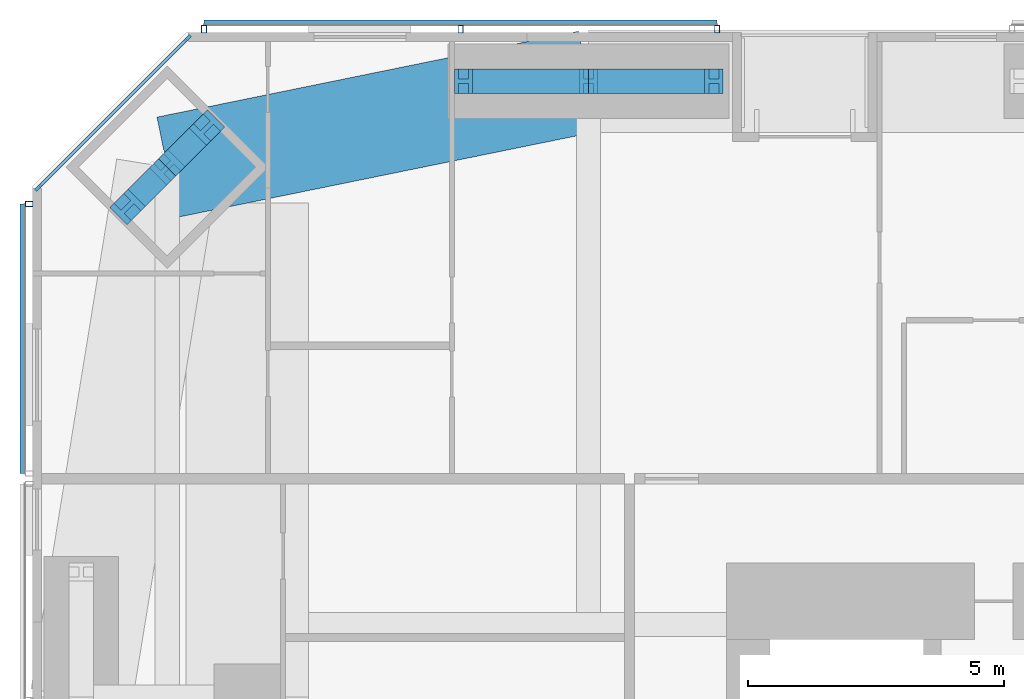
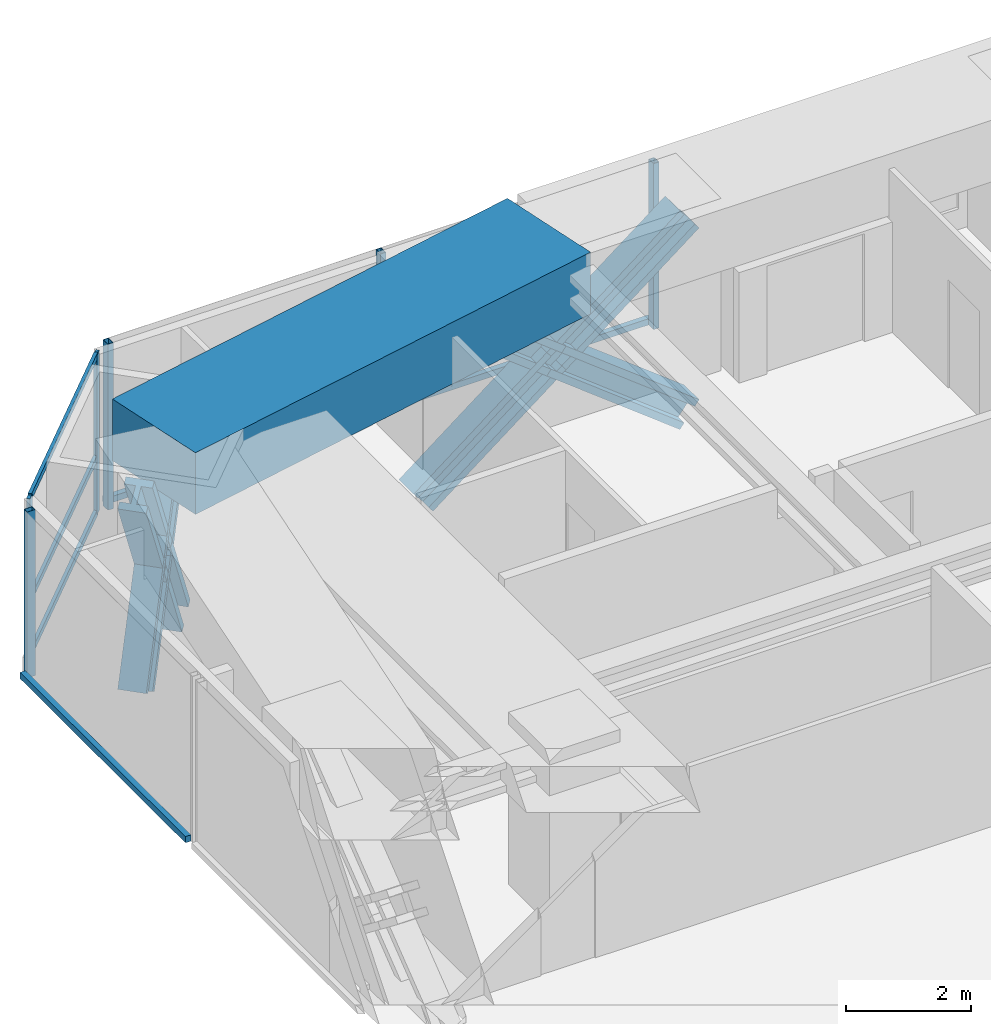
# One storey, part 11 of 23: 19 members, 1 beam, 3 elements without a shape of their own.
"""IFC4 building model written with IfcOpenShell, lengths in metres."""

from ifc_helpers import new_model, si_unit, direction, frame, origin, origin_2d, place, context, subcontext, project, spatial, rectangle, hollow_rectangle, i_section, extrude, material, material_profile, profile_set, type_object, element, aggregate, save


model = new_model("IFC4")

# Units and contexts
model_context = context("Model", 3, precision=1e-05, world=origin(), true_north=direction((0.0, 1.0)))
body_context = subcontext(model_context, "Body", "Model", "MODEL_VIEW")
ifc_project = project(units=[si_unit("LENGTHUNIT", "METRE"), si_unit("AREAUNIT", "SQUARE_METRE"), si_unit("VOLUMEUNIT", "CUBIC_METRE"), si_unit("PLANEANGLEUNIT", "RADIAN"), si_unit("MASSUNIT", "GRAM", prefix="KILO")], contexts=[model_context])

# Site, building, storey
site_placement = place(None, origin())
site = spatial("IfcSite", under=ifc_project, at=site_placement, CompositionType="ELEMENT")
building_placement = place(site_placement, origin())
building = spatial("IfcBuilding", under=site, at=building_placement, Name="Jalousie Tower", CompositionType="ELEMENT")
storey_placement = place(building_placement, frame((0.0, 0.0, 84.75)))
storey = spatial("IfcBuildingStorey", under=building, at=storey_placement, Name="L22", CompositionType="ELEMENT", Elevation=84.75)

# Curtain wall, members
ifc_material_1 = material(Name="Aluminium curtain wall", Category="aluminium")
curtain_wall_type_1 = type_object("IfcCurtainWallType", Name="CORNER WINDOW WALL", PredefinedType="USERDEFINED", material=ifc_material_1)
curtain_wall_1_placement = place(storey_placement, origin())
curtain_wall_1 = element("IfcCurtainWall", 1, at=curtain_wall_1_placement, inside=storey, type_object=curtain_wall_type_1, Name="Corner Window Wall L22 6", ObjectType="CORNER WINDOW WALL", PredefinedType="USERDEFINED")
ifc_material_2 = material(Name="Aluminium mullion", Category="aluminium")
ifc_material_profile_1 = material_profile(ifc_material_2, rectangle(XDim=0.06005859375, YDim=0.14990234375, at=origin_2d()), Name="MULLION 60x150")
ifc_profile_set_1 = profile_set([ifc_material_profile_1], Name="Aluminium mullion")
member_type_1 = type_object("IfcMemberType", Name="CORNER WINDOW WALL MULLION", PredefinedType="MULLION", material=ifc_profile_set_1)
member_1_placement = place(storey_placement, frame((9.030029296875, 37.891357421875, 0.0), z_axis=(0.0, 0.0, 1.0), x_axis=(0.707106781187, -0.707106781187, 0.0)))
member_1 = element("IfcMember", 2, at=member_1_placement, type_object=member_type_1, Name="CW-C mullion 1", PredefinedType="MULLION", context=body_context, shape_type="SweptSolid", body=[
    extrude(rectangle(XDim=0.06005859375, YDim=0.14990234375, at=origin_2d()), origin(), (0.0, 0.0, 1.0), 3.110107421875),
])
member_2_placement = place(storey_placement, frame((6.108642578125, 34.969970703125, 0.0), z_axis=(0.0, 0.0, 1.0), x_axis=(0.707106781187, -0.707106781187, 0.0)))
member_2 = element("IfcMember", 3, at=member_2_placement, type_object=member_type_1, Name="CW-C mullion 2", PredefinedType="MULLION", context=body_context, shape_type="SweptSolid", body=[
    extrude(rectangle(XDim=0.06005859375, YDim=0.14990234375, at=origin_2d()), origin(), (0.0, 0.0, 1.0), 3.110107421875),
])
ifc_material_3 = material(Name="Aluminium transom", Category="aluminium")
ifc_material_profile_2 = material_profile(ifc_material_3, rectangle(XDim=0.06005859375, YDim=0.1201171875, at=origin_2d()), Name="TRANSOM 60x120")
ifc_profile_set_2 = profile_set([ifc_material_profile_2], Name="Aluminium transom")
member_type_2 = type_object("IfcMemberType", Name="CORNER WINDOW WALL TRANSOM", PredefinedType="USERDEFINED", material=ifc_profile_set_2)
member_3_placement = place(storey_placement, frame((9.0087890625, 37.8701171875, 0.030029296875), z_axis=(-0.707106781187, -0.707106781187, 0.0), x_axis=(0.707106781187, -0.707106781187, 0.0)))
member_3 = element("IfcMember", 4, at=member_3_placement, type_object=member_type_2, Name="CW-C transom 1.1", ObjectType="TRANSOM", PredefinedType="USERDEFINED", context=body_context, shape_type="SweptSolid", body=[
    extrude(rectangle(XDim=0.06005859375, YDim=0.1201171875, at=origin_2d()), origin(), (0.0, 0.0, 1.0), 4.0712890625),
])
member_4_placement = place(storey_placement, frame((9.0087890625, 37.8701171875, 1.10009765625), z_axis=(-0.707106781187, -0.707106781187, 0.0), x_axis=(0.707106781187, -0.707106781187, 0.0)))
member_4 = element("IfcMember", 5, at=member_4_placement, type_object=member_type_2, Name="CW-C transom 1.2", ObjectType="TRANSOM", PredefinedType="USERDEFINED", context=body_context, shape_type="SweptSolid", body=[
    extrude(rectangle(XDim=0.06005859375, YDim=0.1201171875, at=origin_2d()), origin(), (0.0, 0.0, 1.0), 4.0712890625),
])
member_5_placement = place(storey_placement, frame((9.0087890625, 37.8701171875, 3.080078125), z_axis=(-0.707106781187, -0.707106781187, 0.0), x_axis=(0.707106781187, -0.707106781187, 0.0)))
member_5 = element("IfcMember", 6, at=member_5_placement, type_object=member_type_2, Name="CW-C transom 1.3", ObjectType="TRANSOM", PredefinedType="USERDEFINED", context=body_context, shape_type="SweptSolid", body=[
    extrude(rectangle(XDim=0.06005859375, YDim=0.1201171875, at=origin_2d()), origin(), (0.0, 0.0, 1.0), 4.0712890625),
])
aggregate(curtain_wall_1, [member_1, member_2, member_3, member_4, member_5])

# Members
ifc_material_4 = material(Name="Steel ASTM A992 Grade 50", Category="steel")
ifc_material_profile_3 = material_profile(ifc_material_4, i_section(OverallWidth=0.472412109375, OverallDepth=0.5791015625, WebThickness=0.094970703125, FlangeThickness=0.1298828125, at=origin_2d()), Name="W14X808")
ifc_profile_set_3 = profile_set([ifc_material_profile_3], Name="Steel ASTM A992 Grade 50")
member_type_3 = type_object("IfcMemberType", Name="PERIMETER BRACE W14X808", PredefinedType="BRACE", material=ifc_profile_set_3)
for number, where, z_axis, x_axis, name in (
    (7, (14.425048828125, 37.050048828125, -1.050048828125), (0.790191006211, 0.0, 0.612860647866), (0.0, 1.0, 0.0), "Perimeter brace 11 L22 part 1"),
    (8, (16.875, 37.050048828125, 0.85009765625), (0.790229140184, 0.0, 0.612811476723), (0.0, 1.0, 0.0), "Perimeter brace 11 L22 part 2"),
    (9, (19.324951171875, 37.050048828125, -1.050048828125), (-0.790191006211, 0.0, 0.612860647866), (0.0, -1.0, 0.0), "Perimeter brace 11 L22 part 3"),
    (10, (16.875, 37.050048828125, 0.85009765625), (-0.790229140184, 0.0, 0.612811476723), (0.0, -1.0, 0.0), "Perimeter brace 11 L22 part 4"),
):
    element("IfcMember", number, at=place(storey_placement, frame(where, z_axis=z_axis, x_axis=x_axis)), inside=storey, type_object=member_type_3, Name=name, PredefinedType="BRACE", context=body_context, shape_type="SweptSolid", body=[
        extrude(i_section(OverallWidth=0.472412109375, OverallDepth=0.5791015625, WebThickness=0.094970703125, FlangeThickness=0.1298828125, at=origin_2d()), origin(), (0.0, 0.0, 1.0), 3.100341796875),
    ])
member_6_placement = place(storey_placement, frame((9.4091796875, 36.146484375, -1.050048828125), z_axis=(-0.354270659018, -0.354270659018, 0.865438963947), x_axis=(0.707106781187, -0.707106781187, 0.0)))
element("IfcMember", 11, at=member_6_placement, inside=storey, type_object=member_type_3, Name="Perimeter brace 12 L22 part 1", PredefinedType="BRACE", context=body_context, shape_type="SweptSolid", body=[
    extrude(i_section(OverallWidth=0.472412109375, OverallDepth=0.5791015625, WebThickness=0.094970703125, FlangeThickness=0.1298828125, at=origin_2d()), origin(), (0.0, 0.0, 1.0), 2.195556640625),
])
member_7_placement = place(storey_placement, frame((8.63134765625, 35.36865234375, 0.85009765625), z_axis=(-0.354304754421, -0.354304754421, 0.865411047993), x_axis=(0.707106781187, -0.707106781187, 0.0)))
element("IfcMember", 12, at=member_7_placement, inside=storey, type_object=member_type_3, Name="Perimeter brace 12 L22 part 2", PredefinedType="BRACE", context=body_context, shape_type="SweptSolid", body=[
    extrude(i_section(OverallWidth=0.472412109375, OverallDepth=0.5791015625, WebThickness=0.094970703125, FlangeThickness=0.1298828125, at=origin_2d()), origin(), (0.0, 0.0, 1.0), 2.1953125),
])
member_8_placement = place(storey_placement, frame((7.853515625, 34.5908203125, -1.050048828125), z_axis=(0.354270659018, 0.354270659018, 0.865438963947), x_axis=(-0.707106781187, 0.707106781187, 0.0)))
element("IfcMember", 13, at=member_8_placement, inside=storey, type_object=member_type_3, Name="Perimeter brace 12 L22 part 3", PredefinedType="BRACE", context=body_context, shape_type="SweptSolid", body=[
    extrude(i_section(OverallWidth=0.472412109375, OverallDepth=0.5791015625, WebThickness=0.094970703125, FlangeThickness=0.1298828125, at=origin_2d()), origin(), (0.0, 0.0, 1.0), 2.195556640625),
])
member_9_placement = place(storey_placement, frame((8.63134765625, 35.36865234375, 0.85009765625), z_axis=(0.354304754421, 0.354304754421, 0.865411047993), x_axis=(-0.707106781187, 0.707106781187, 0.0)))
element("IfcMember", 14, at=member_9_placement, inside=storey, type_object=member_type_3, Name="Perimeter brace 12 L22 part 4", PredefinedType="BRACE", context=body_context, shape_type="SweptSolid", body=[
    extrude(i_section(OverallWidth=0.472412109375, OverallDepth=0.5791015625, WebThickness=0.094970703125, FlangeThickness=0.1298828125, at=origin_2d()), origin(), (0.0, 0.0, 1.0), 2.1953125),
])

# Beam
ifc_material_5 = material(Name="Concrete f'c 40 MPa", Category="concrete")
ifc_material_profile_4 = material_profile(ifc_material_5, rectangle(XDim=2.0, YDim=1.199951171875, at=origin_2d()), Name="RC 2000x1200")
ifc_profile_set_4 = profile_set([ifc_material_profile_4], Name="Concrete f'c 40 MPa")
beam_type = type_object("IfcBeamType", Name="RC BEAM 2000x1200", PredefinedType="BEAM", material=ifc_profile_set_4)
beam_placement = place(storey_placement, frame((16.875, 37.050048828125, 2.75), z_axis=(-0.97982690954, -0.199848010602, 0.0), x_axis=(0.199848010602, -0.97982690954, 0.0)))
element("IfcBeam", 15, at=beam_placement, inside=storey, type_object=beam_type, Name="Edge band beam 11-12 under L23", PredefinedType="BEAM", context=body_context, shape_type="SweptSolid", body=[
    extrude(rectangle(XDim=2.0, YDim=1.199951171875, at=origin_2d()), origin(), (0.0, 0.0, 1.0), 8.413330078125),
])

# Curtain wall, members
ifc_material_6 = material(Name="Perforated aluminium sheet", Category="aluminium")
curtain_wall_type_2 = type_object("IfcCurtainWallType", Name="SOLAR SCREEN SS-1", PredefinedType="USERDEFINED", material=ifc_material_6)
curtain_wall_2_placement = place(storey_placement, origin())
curtain_wall_2 = element("IfcCurtainWall", 16, at=curtain_wall_2_placement, inside=storey, type_object=curtain_wall_type_2, Name="Solar screen L22", ObjectType="SOLAR SCREEN SS-1", PredefinedType="USERDEFINED")
ifc_material_7 = material(Name="Steel ASTM A500 Grade C", Category="steel")
ifc_material_profile_5 = material_profile(ifc_material_7, hollow_rectangle(XDim=0.1015625, YDim=0.15234375, WallThickness=0.00634765625, at=origin_2d()), Name="HSS6X4X1/4")
ifc_profile_set_5 = profile_set([ifc_material_profile_5], Name="Steel ASTM A500 Grade C")
member_type_4 = type_object("IfcMemberType", Name="SOLAR SCREEN SS-1 MULLION", PredefinedType="MULLION", material=ifc_profile_set_5)
member_10_placement = place(storey_placement, frame((19.39208984375, 38.0712890625, -0.1201171875), z_axis=(0.0, 0.0, 1.0), x_axis=(-1.0, 0.0, 0.0)))
member_10 = element("IfcMember", 17, at=member_10_placement, type_object=member_type_4, Name="SS1 post 1", PredefinedType="MULLION", context=body_context, shape_type="SweptSolid", body=[
    extrude(hollow_rectangle(XDim=0.1015625, YDim=0.15234375, WallThickness=0.00634765625, at=origin_2d()), origin(), (0.0, 0.0, 1.0), 3.230224609375),
])
member_11_placement = place(storey_placement, frame((14.37158203125, 38.0712890625, -0.1201171875), z_axis=(0.0, 0.0, 1.0), x_axis=(-1.0, 0.0, 0.0)))
member_11 = element("IfcMember", 18, at=member_11_placement, type_object=member_type_4, Name="SS1 post 2", PredefinedType="MULLION", context=body_context, shape_type="SweptSolid", body=[
    extrude(hollow_rectangle(XDim=0.1015625, YDim=0.15234375, WallThickness=0.00634765625, at=origin_2d()), origin(), (0.0, 0.0, 1.0), 3.230224609375),
])
member_12_placement = place(storey_placement, frame((9.351318359375, 38.0712890625, -0.1201171875), z_axis=(0.0, 0.0, 1.0), x_axis=(-1.0, 0.0, 0.0)))
member_12 = element("IfcMember", 19, at=member_12_placement, type_object=member_type_4, Name="SS1 post 3", PredefinedType="MULLION", context=body_context, shape_type="SweptSolid", body=[
    extrude(hollow_rectangle(XDim=0.1015625, YDim=0.15234375, WallThickness=0.00634765625, at=origin_2d()), origin(), (0.0, 0.0, 1.0), 3.230224609375),
])

# Curtain wall, member
curtain_wall_3_placement = place(storey_placement, origin())
curtain_wall_3 = element("IfcCurtainWall", 20, at=curtain_wall_3_placement, inside=storey, type_object=curtain_wall_type_2, Name="Solar screen L22", ObjectType="SOLAR SCREEN SS-1", PredefinedType="USERDEFINED")
member_13_placement = place(storey_placement, frame((5.9287109375, 34.648681640625, -0.1201171875), z_axis=(0.0, 0.0, 1.0), x_axis=(0.0, -1.0, 0.0)))
member_13 = element("IfcMember", 21, at=member_13_placement, type_object=member_type_4, Name="SS1 post 1", PredefinedType="MULLION", context=body_context, shape_type="SweptSolid", body=[
    extrude(hollow_rectangle(XDim=0.1015625, YDim=0.15234375, WallThickness=0.00634765625, at=origin_2d()), origin(), (0.0, 0.0, 1.0), 3.230224609375),
])

# Member
ifc_material_8 = material(Name="Extruded aluminium screen rail", Category="aluminium")
ifc_material_profile_6 = material_profile(ifc_material_8, rectangle(XDim=0.1015625, YDim=0.1201171875, at=origin_2d()), Name="RAIL 102x120")
ifc_profile_set_6 = profile_set([ifc_material_profile_6], Name="Extruded aluminium screen rail")
member_type_5 = type_object("IfcMemberType", Name="SOLAR SCREEN SS-1 TRANSOM", PredefinedType="USERDEFINED", material=ifc_profile_set_6)
member_14_placement = place(storey_placement, frame((19.39208984375, 38.1982421875, -0.06005859375), z_axis=(-1.0, 0.0, 0.0), x_axis=(0.0, -1.0, 0.0)))
member_14 = element("IfcMember", 22, at=member_14_placement, type_object=member_type_5, Name="SS1 rail", ObjectType="TRANSOM", PredefinedType="USERDEFINED", context=body_context, shape_type="SweptSolid", body=[
    extrude(rectangle(XDim=0.1015625, YDim=0.1201171875, at=origin_2d()), origin(), (0.0, 0.0, 1.0), 10.040771484375),
])

aggregate(curtain_wall_2, [member_10, member_11, member_12, member_14])

member_15_placement = place(storey_placement, frame((5.8017578125, 34.648681640625, -0.06005859375), z_axis=(0.0, -1.0, 0.0), x_axis=(1.0, 0.0, 0.0)))
member_15 = element("IfcMember", 23, at=member_15_placement, type_object=member_type_5, Name="SS1 rail", ObjectType="TRANSOM", PredefinedType="USERDEFINED", context=body_context, shape_type="SweptSolid", body=[
    extrude(rectangle(XDim=0.1015625, YDim=0.1201171875, at=origin_2d()), origin(), (0.0, 0.0, 1.0), 5.273681640625),
])

aggregate(curtain_wall_3, [member_13, member_15])

save(model, "model.ifc")
